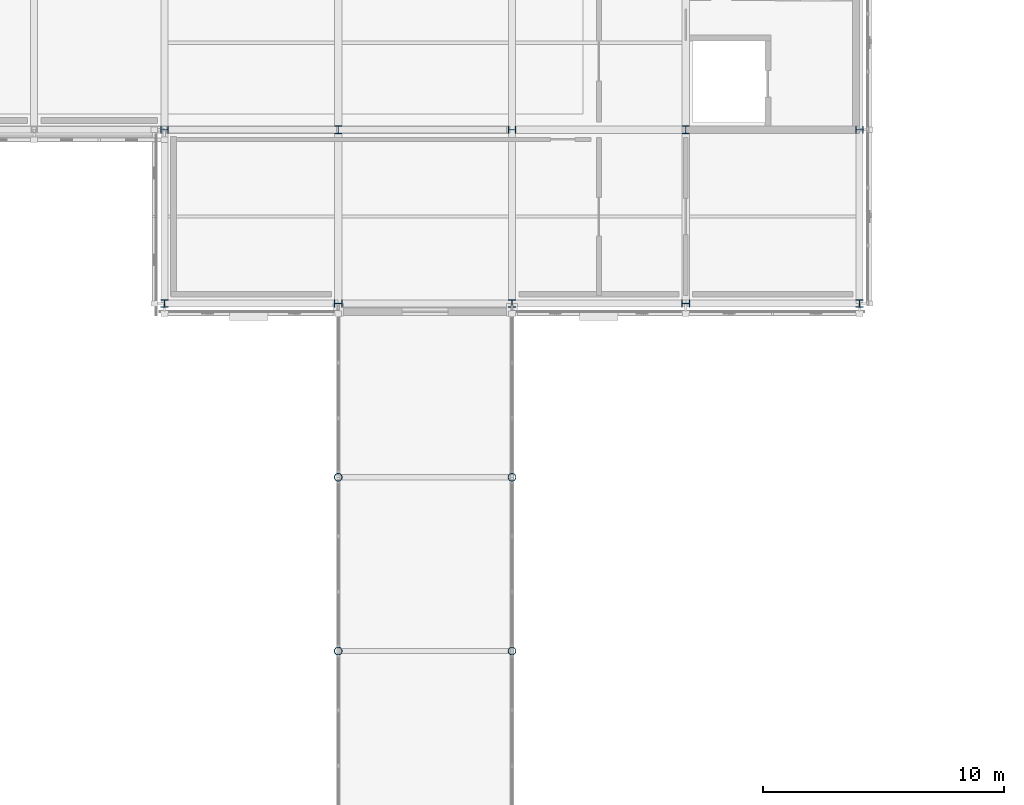
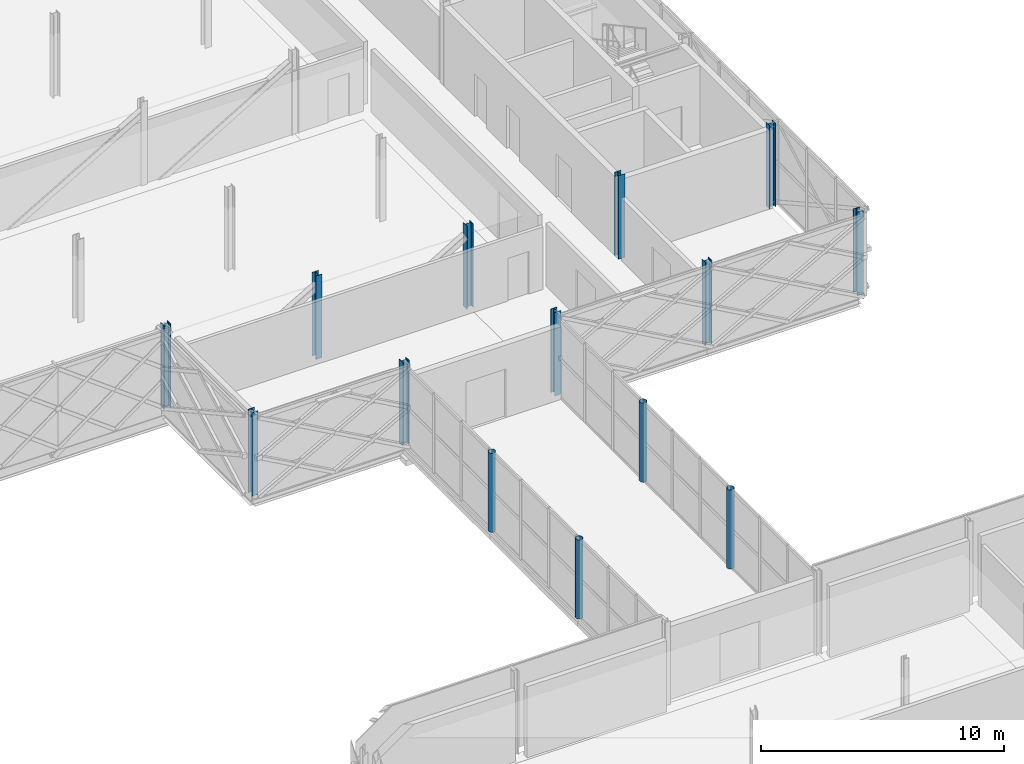
# One storey, part 4 of 126: 14 columns.
"""IFC4 building model written with IfcOpenShell, lengths in metres."""

from ifc_helpers import new_model, si_unit, direction, frame, origin, origin_2d, place, context, subcontext, project, spatial, hollow_circle, i_section, extrude, material, material_profile, profile_set, type_object, element, save


model = new_model("IFC4")

# Units and contexts
model_context = context("Model", 3, precision=1e-05, world=origin(), true_north=direction((0.0, 1.0)))
body_context = subcontext(model_context, "Body", "Model", "MODEL_VIEW")
ifc_project = project(units=[si_unit("LENGTHUNIT", "METRE"), si_unit("AREAUNIT", "SQUARE_METRE"), si_unit("VOLUMEUNIT", "CUBIC_METRE"), si_unit("PLANEANGLEUNIT", "RADIAN"), si_unit("MASSUNIT", "GRAM", prefix="KILO")], contexts=[model_context])

# Site, building, storey
site_placement = place(None, origin())
site = spatial("IfcSite", under=ifc_project, at=site_placement, CompositionType="ELEMENT")
building_placement = place(site_placement, origin())
building = spatial("IfcBuilding", under=site, at=building_placement, Name="Zlatovets Crest Museum", CompositionType="ELEMENT")
storey_placement = place(building_placement, frame((0.0, 0.0, 8.699951171875)))
storey = spatial("IfcBuildingStorey", under=building, at=storey_placement, Name="L02", CompositionType="ELEMENT", Elevation=8.699951171875)

# Columns
ifc_material = material(Name="Structural steel S355J2", Category="steel")
ifc_material_profile_1 = material_profile(ifc_material, hollow_circle(Radius=0.161865234375, WallThickness=0.012451171875, at=origin_2d()), Name="CHS 323.9x12.5")
ifc_profile_set_1 = profile_set([ifc_material_profile_1], Name="Structural steel S355J2")
column_type_1 = type_object("IfcColumnType", Name="Col_C-13", PredefinedType="COLUMN", material=ifc_profile_set_1)
for number, where, z_axis, x_axis, name in (
    (1, (14.39990234375, 36.0, 0.0), (0.0, 0.0, 1.0), (1.0, 0.0, 0.0), "West Hillside Glazed Link Bridge Portal Column"),
    (2, (21.60009765625, 36.0, 0.0), (0.0, 0.0, 1.0), (1.0, 0.0, 0.0), "West Hillside Glazed Link Bridge Portal Column"),
    (3, (14.39990234375, 43.199951171875, 0.0), (0.0, 0.0, 1.0), (1.0, 0.0, 0.0), "West Hillside Glazed Link Bridge Portal Column"),
    (4, (21.60009765625, 43.199951171875, 0.0), (0.0, 0.0, 1.0), (1.0, 0.0, 0.0), "West Hillside Glazed Link Bridge Portal Column"),
):
    element("IfcColumn", number, at=place(storey_placement, frame(where, z_axis=z_axis, x_axis=x_axis)), inside=storey, type_object=column_type_1, Name=name, PredefinedType="COLUMN", context=body_context, shape_type="SweptSolid", body=[
        extrude(hollow_circle(Radius=0.161865234375, WallThickness=0.012451171875, at=origin_2d()), origin(), (0.0, 0.0, 1.0), 3.97998046875),
    ])
ifc_material_profile_2 = material_profile(ifc_material, i_section(OverallWidth=0.300048828125, OverallDepth=0.320068359375, WebThickness=0.011474609375, FlangeThickness=0.0205078125, FilletRadius=0.027099609375, at=origin_2d()), Name="HEB 320")
ifc_profile_set_2 = profile_set([ifc_material_profile_2], Name="Structural steel S355J2")
column_type_2 = type_object("IfcColumnType", Name="Col_C-16", PredefinedType="COLUMN", material=ifc_profile_set_2)
for number, where, z_axis, x_axis, name in (
    (5, (7.199951171875, 50.39990234375, 0.0), (0.0, 0.0, 1.0), (1.0, 0.0, 0.0), "V4 L02 Column (7.2, 50.4)"),
    (6, (7.199951171875, 57.60009765625, 0.0), (0.0, 0.0, 1.0), (0.0, 1.0, 0.0), "V4 L02 Column (7.2, 57.6)"),
    (7, (14.39990234375, 50.39990234375, 0.0), (0.0, 0.0, 1.0), (0.0, 1.0, 0.0), "V4 L02 Column (14.4, 50.4)"),
    (8, (14.39990234375, 57.60009765625, 0.0), (0.0, 0.0, 1.0), (1.0, 0.0, 0.0), "V4 L02 Column (14.4, 57.6)"),
    (9, (21.60009765625, 50.39990234375, 0.0), (0.0, 0.0, 1.0), (1.0, 0.0, 0.0), "V4 L02 Column (21.6, 50.4)"),
    (10, (21.60009765625, 57.60009765625, 0.0), (0.0, 0.0, 1.0), (0.0, 1.0, 0.0), "V4 L02 Column (21.6, 57.6)"),
    (11, (28.800048828125, 50.39990234375, 0.0), (0.0, 0.0, 1.0), (0.0, 1.0, 0.0), "V4 L02 Column (28.8, 50.4)"),
    (12, (28.800048828125, 57.60009765625, 0.0), (0.0, 0.0, 1.0), (1.0, 0.0, 0.0), "V4 L02 Column (28.8, 57.6)"),
    (13, (36.0, 50.39990234375, 0.0), (0.0, 0.0, 1.0), (1.0, 0.0, 0.0), "V4 L02 Column (36.0, 50.4)"),
    (14, (36.0, 57.60009765625, 0.0), (0.0, 0.0, 1.0), (0.0, 1.0, 0.0), "V4 L02 Column (36.0, 57.6)"),
):
    element("IfcColumn", number, at=place(storey_placement, frame(where, z_axis=z_axis, x_axis=x_axis)), inside=storey, type_object=column_type_2, Name=name, PredefinedType="COLUMN", context=body_context, shape_type="SweptSolid", body=[
        extrude(i_section(OverallWidth=0.300048828125, OverallDepth=0.320068359375, WebThickness=0.011474609375, FlangeThickness=0.0205078125, FilletRadius=0.027099609375, at=origin_2d()), origin(), (0.0, 0.0, 1.0), 4.199951171875),
    ])

save(model, "model.ifc")
